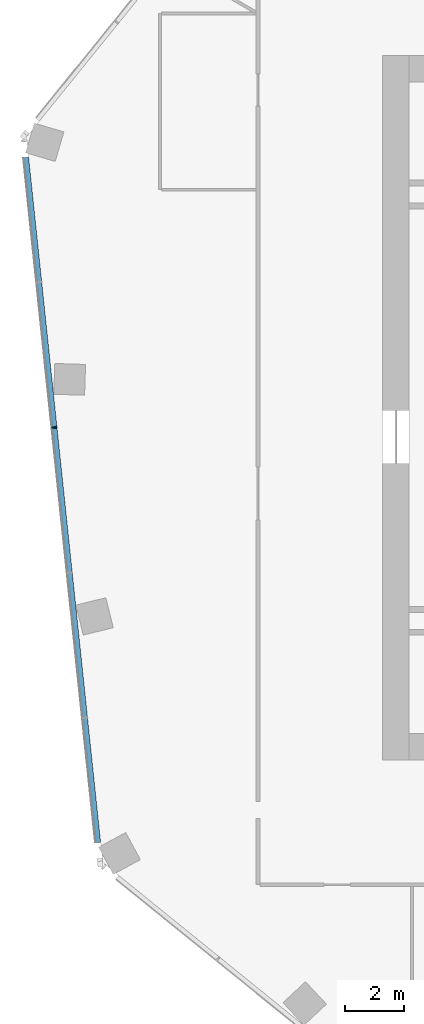
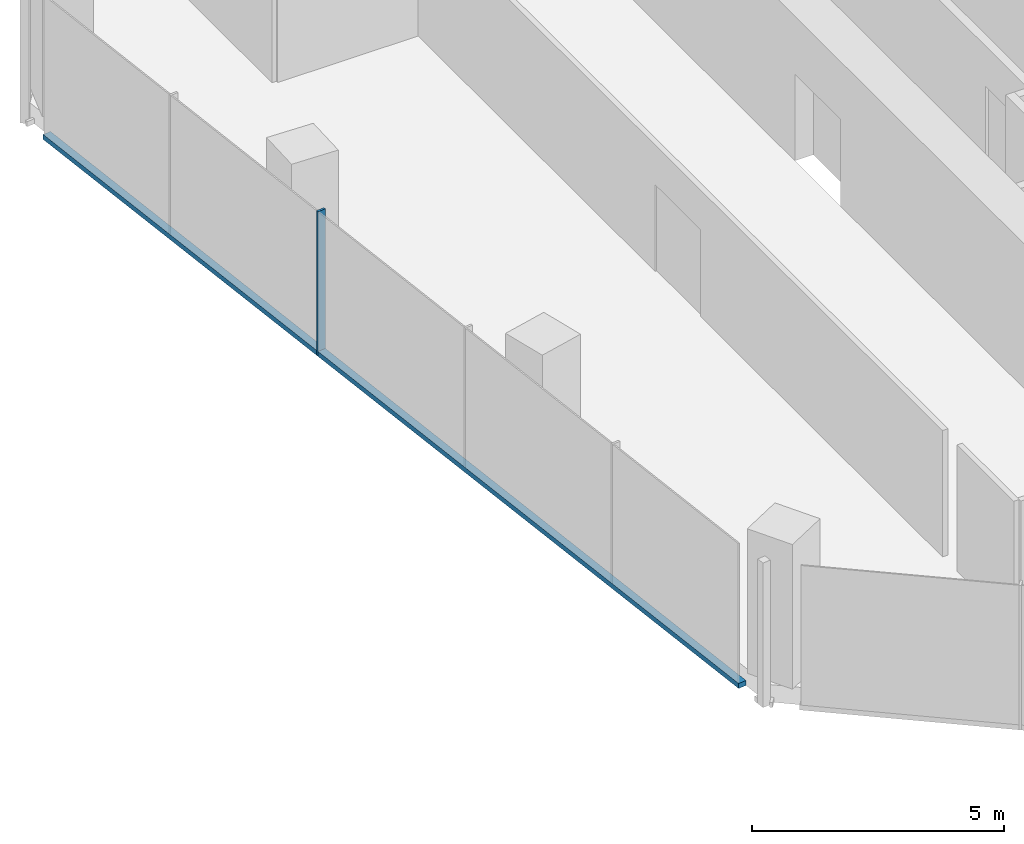
# One storey, part 5 of 25: 2 members, 1 element without a shape of its own.
"""IFC4 building model written with IfcOpenShell, lengths in metres."""

from ifc_helpers import new_model, si_unit, direction, frame, origin, origin_2d, place, context, subcontext, project, spatial, rectangle, extrude, material, material_profile, profile_set, type_object, element, aggregate, save


model = new_model("IFC4")

# Units and contexts
model_context = context("Model", 3, precision=1e-05, world=origin(), true_north=direction((0.0, 1.0)))
body_context = subcontext(model_context, "Body", "Model", "MODEL_VIEW")
ifc_project = project(units=[si_unit("LENGTHUNIT", "METRE"), si_unit("AREAUNIT", "SQUARE_METRE"), si_unit("VOLUMEUNIT", "CUBIC_METRE"), si_unit("PLANEANGLEUNIT", "RADIAN"), si_unit("MASSUNIT", "GRAM", prefix="KILO")], contexts=[model_context])

# Site, building, storey
site_placement = place(None, origin())
site = spatial("IfcSite", under=ifc_project, at=site_placement, CompositionType="ELEMENT")
building_placement = place(site_placement, origin())
building = spatial("IfcBuilding", under=site, at=building_placement, Name="Orlundy Tower", CompositionType="ELEMENT")
storey_placement = place(building_placement, frame((0.0, 0.0, 217.5)))
storey = spatial("IfcBuildingStorey", under=building, at=storey_placement, Name="L57", CompositionType="ELEMENT", Elevation=217.5)

# Curtain wall, members
ifc_material_1 = material(Name="Aluminium bronze anodised", Category="aluminium")
curtain_wall_type = type_object("IfcCurtainWallType", Name="CW1 wall", PredefinedType="NOTDEFINED", material=ifc_material_1)
curtain_wall_placement = place(storey_placement, origin())
curtain_wall = element("IfcCurtainWall", 1, at=curtain_wall_placement, inside=storey, type_object=curtain_wall_type, Name="CW1 run 02", PredefinedType="NOTDEFINED")
ifc_material_2 = material(Name="Aluminium bronze anodised", Category="aluminium")
ifc_material_profile_1 = material_profile(ifc_material_2, rectangle(XDim=0.179931640625, YDim=0.050048828125, at=origin_2d()), Name="CW1 mullion 50x180")
ifc_profile_set_1 = profile_set([ifc_material_profile_1], Name="Aluminium bronze anodised")
member_type_1 = type_object("IfcMemberType", Name="CW1 mullion 50x180", PredefinedType="MULLION", material=ifc_profile_set_1)
member_1_placement = place(storey_placement, frame((-30.185302734375, -0.673828125, -0.419921875), z_axis=(0.0, 0.0, 1.0), x_axis=(-0.994520875843, -0.104538162943, 0.0)))
member_1 = element("IfcMember", 2, at=member_1_placement, type_object=member_type_1, Name="CW1 mullion 8", PredefinedType="MULLION", context=body_context, shape_type="SweptSolid", body=[
    extrude(rectangle(XDim=0.179931640625, YDim=0.050048828125, at=origin_2d()), origin(), (0.0, 0.0, 1.0), 3.5),
])
ifc_material_3 = material(Name="Aluminium bronze anodised", Category="aluminium")
ifc_material_profile_2 = material_profile(ifc_material_3, rectangle(XDim=0.179931640625, YDim=0.1201171875, at=origin_2d()), Name="CW1 transom 180x120")
ifc_profile_set_2 = profile_set([ifc_material_profile_2], Name="Aluminium bronze anodised")
member_type_2 = type_object("IfcMemberType", Name="CW1 transom 180x120", PredefinedType="USERDEFINED", material=ifc_profile_set_2)
member_2_placement = place(storey_placement, frame((-28.698974609375, -14.81396484375, -0.360107421875), z_axis=(-0.10453855847, 0.994520834268, 0.0), x_axis=(-0.994520834268, -0.10453855847, 0.0)))
member_2 = element("IfcMember", 3, at=member_2_placement, type_object=member_type_2, Name="CW1 transom", ObjectType="TRANSOM", PredefinedType="USERDEFINED", context=body_context, shape_type="SweptSolid", body=[
    extrude(rectangle(XDim=0.179931640625, YDim=0.1201171875, at=origin_2d()), origin(), (0.0, 0.0, 1.0), 23.46630859375),
])
aggregate(curtain_wall, [member_1, member_2])

save(model, "model.ifc")
